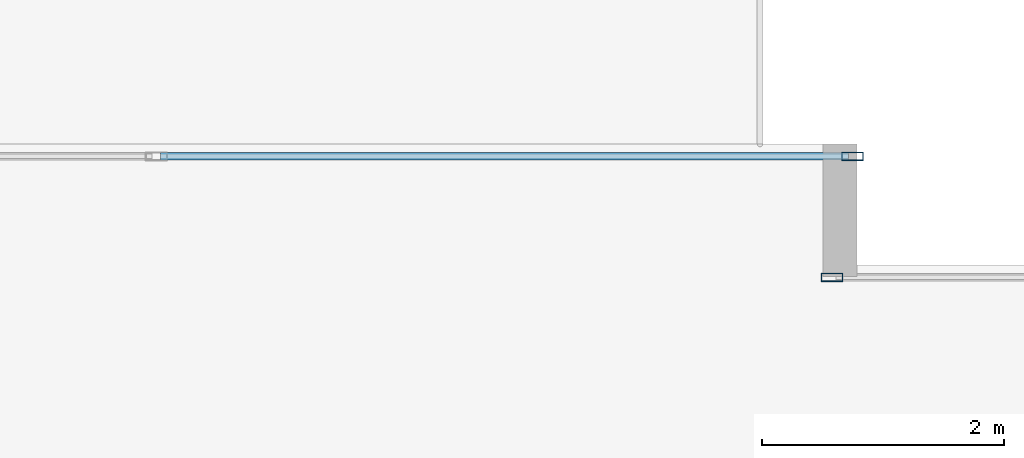
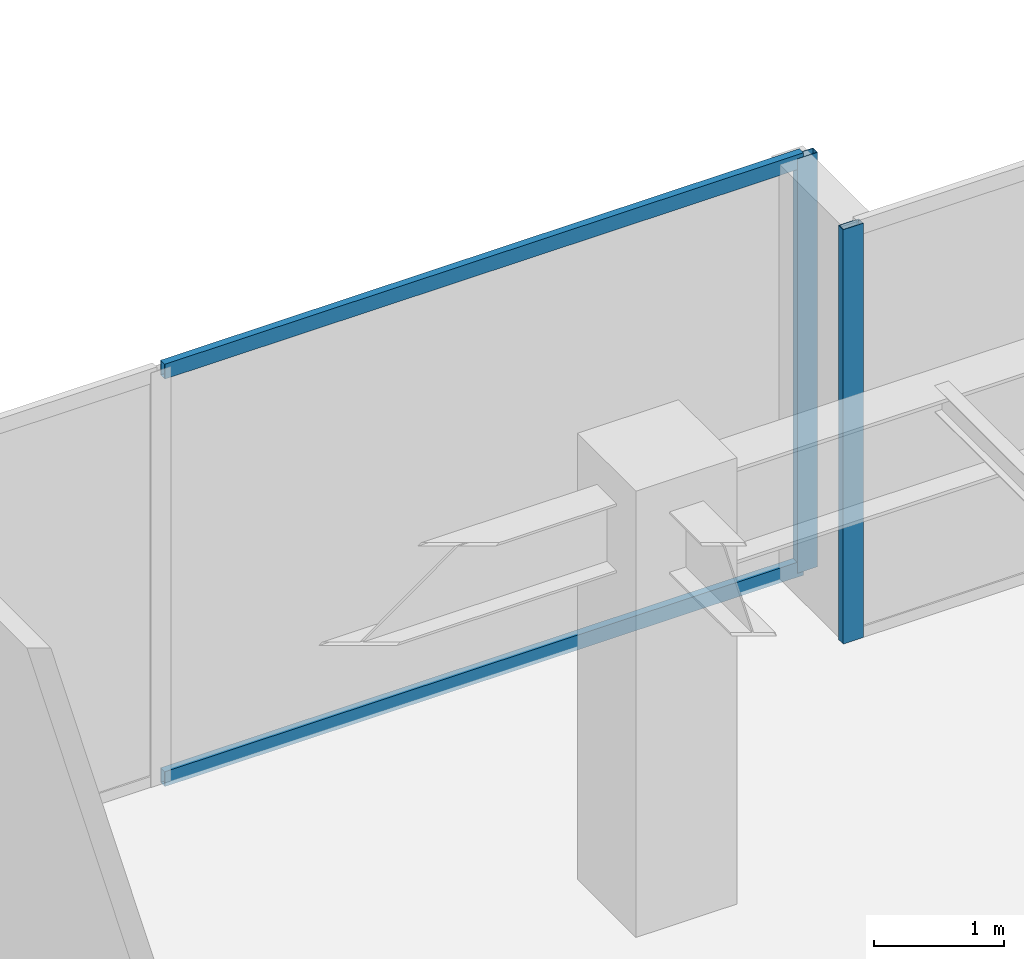
# One storey, part 19 of 31: 4 members, 2 elements without a shape of their own.
"""IFC4 building model written with IfcOpenShell, lengths in metres."""

from ifc_helpers import new_model, si_unit, direction, frame, origin, origin_2d, place, context, subcontext, project, spatial, hollow_rectangle, extrude, source, transform, mapped, material, layer, layer_set, material_profile, profile_set, type_object, type_shapes, element, aggregate, save


model = new_model("IFC4")

# Units and contexts
model_context = context("Model", 3, precision=1e-05, world=origin(), true_north=direction((0.0, 1.0)))
body_context = subcontext(model_context, "Body", "Model", "MODEL_VIEW")
ifc_project = project(units=[si_unit("LENGTHUNIT", "METRE"), si_unit("AREAUNIT", "SQUARE_METRE"), si_unit("VOLUMEUNIT", "CUBIC_METRE"), si_unit("PLANEANGLEUNIT", "RADIAN"), si_unit("MASSUNIT", "GRAM", prefix="KILO")], contexts=[model_context])

# Site, building, storey
site_placement = place(None, origin())
site = spatial("IfcSite", under=ifc_project, at=site_placement, CompositionType="ELEMENT")
building_placement = place(site_placement, origin())
building = spatial("IfcBuilding", under=site, at=building_placement, Name="Haelvirn Gate Laboratories", CompositionType="ELEMENT")
storey_placement = place(building_placement, frame((0.0, 0.0, 310.199951171875)))
storey = spatial("IfcBuildingStorey", under=building, at=storey_placement, Name="L74", CompositionType="ELEMENT", Elevation=310.199951171875)

# Curtain wall, member
ifc_material_1 = material(Name="Anodised bronze unitised aluminium & triple low-E glass", Category="aluminium")
ifc_layer = layer(ifc_material_1, 0.176025390625, Name="CW-SYS-4")
ifc_layer_set = layer_set([ifc_layer], Name="Anodised bronze unitised aluminium & triple low-E glass")
curtain_wall_type = type_object("IfcCurtainWallType", Name="CW-SYS-4", PredefinedType="NOTDEFINED", material=ifc_layer_set)
curtain_wall_1_placement = place(storey_placement, origin())
curtain_wall_1 = element("IfcCurtainWall", 1, at=curtain_wall_1_placement, inside=storey, type_object=curtain_wall_type, Name="L74 Unitised Curtain Wall CW-L74-P0-E12-1", PredefinedType="NOTDEFINED")
ifc_material_2 = material(Name="Extruded aluminium 6063-T6 (anodised bronze)", Category="aluminium")
ifc_material_profile_1 = material_profile(ifc_material_2, hollow_rectangle(XDim=0.070068359375, YDim=0.179931640625, WallThickness=0.0048828125, at=origin_2d()), Name="CWM-180x70x5")
ifc_profile_set_1 = profile_set([ifc_material_profile_1], Name="Extruded aluminium 6063-T6 (anodised bronze)")
member_type_1 = type_object("IfcMemberType", Name="CWM-T180", PredefinedType="MULLION", material=ifc_profile_set_1)
shared_shape_1 = source(origin(), body_context, "Body", "SweptSolid", [
    extrude(hollow_rectangle(XDim=0.070068359375, YDim=0.179931640625, WallThickness=0.0048828125, at=origin_2d()), origin(), (0.0, 0.0, 1.0), 3.900146484375),
])
type_shapes(member_type_1, [shared_shape_1])
member_1_placement = place(storey_placement, frame((25.195068359375, 43.800048828125, 0.0), z_axis=(0.0, 0.0, 1.0), x_axis=(0.0, 1.0, 0.0)))
member_1 = element("IfcMember", 2, at=member_1_placement, type_object=member_type_1, Name="CW4 mullion 1", PredefinedType="MULLION", context=body_context, shape_type="MappedRepresentation", body=[
    mapped(shared_shape_1, transform((0.0, 0.0, 0.0), scale=1.0)),
])
aggregate(curtain_wall_1, [member_1])

# Curtain wall, members
curtain_wall_2_placement = place(storey_placement, origin())
curtain_wall_2 = element("IfcCurtainWall", 3, at=curtain_wall_2_placement, inside=storey, type_object=curtain_wall_type, Name="L74 Unitised Curtain Wall CW-L74-P0-E14-2", PredefinedType="NOTDEFINED")
member_2_placement = place(storey_placement, frame((25.364990234375, 44.800048828125, 0.0), z_axis=(0.0, 0.0, 1.0), x_axis=(0.0, 1.0, 0.0)))
member_2 = element("IfcMember", 4, at=member_2_placement, type_object=member_type_1, Name="CW4 mullion 3", PredefinedType="MULLION", context=body_context, shape_type="MappedRepresentation", body=[
    mapped(shared_shape_1, transform((0.0, 0.0, 0.0), scale=1.0)),
])
ifc_material_profile_2 = material_profile(ifc_material_2, hollow_rectangle(XDim=0.06494140625, YDim=0.139892578125, WallThickness=0.00390625, at=origin_2d()), Name="CWT-140x65x4")
ifc_profile_set_2 = profile_set([ifc_material_profile_2], Name="Extruded aluminium 6063-T6 (anodised bronze)")
member_type_2 = type_object("IfcMemberType", Name="CWT-T140", PredefinedType="USERDEFINED", material=ifc_profile_set_2)
shared_shape_2 = source(origin(), body_context, "Body", "SweptSolid", [
    extrude(hollow_rectangle(XDim=0.06494140625, YDim=0.139892578125, WallThickness=0.00390625, at=origin_2d()), origin(), (0.0, 0.0, 1.0), 5.68505859375),
])
type_shapes(member_type_2, [shared_shape_2])
member_3_placement = place(storey_placement, frame((19.64501953125, 44.800048828125, 0.032470703125), z_axis=(1.0, 0.0, 0.0), x_axis=(0.0, 1.0, 0.0)))
member_3 = element("IfcMember", 5, at=member_3_placement, type_object=member_type_2, Name="CW4 transom 2.1", ObjectType="TRANSOM", PredefinedType="USERDEFINED", context=body_context, shape_type="MappedRepresentation", body=[
    mapped(shared_shape_2, transform((0.0, 0.0, 0.0), scale=1.0)),
])
member_4_placement = place(storey_placement, frame((19.64501953125, 44.800048828125, 3.867431640625), z_axis=(1.0, 0.0, 0.0), x_axis=(0.0, 1.0, 0.0)))
member_4 = element("IfcMember", 6, at=member_4_placement, type_object=member_type_2, Name="CW4 transom 2.2", ObjectType="TRANSOM", PredefinedType="USERDEFINED", context=body_context, shape_type="MappedRepresentation", body=[
    mapped(shared_shape_2, transform((0.0, 0.0, 0.0), scale=1.0)),
])
aggregate(curtain_wall_2, [member_2, member_3, member_4])

save(model, "model.ifc")
